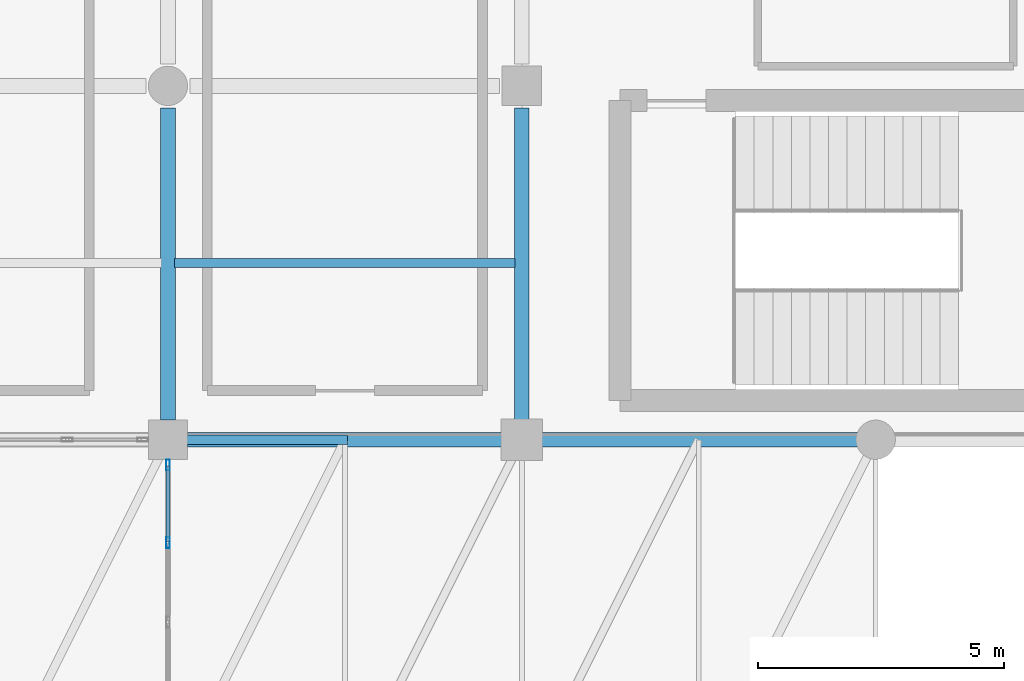
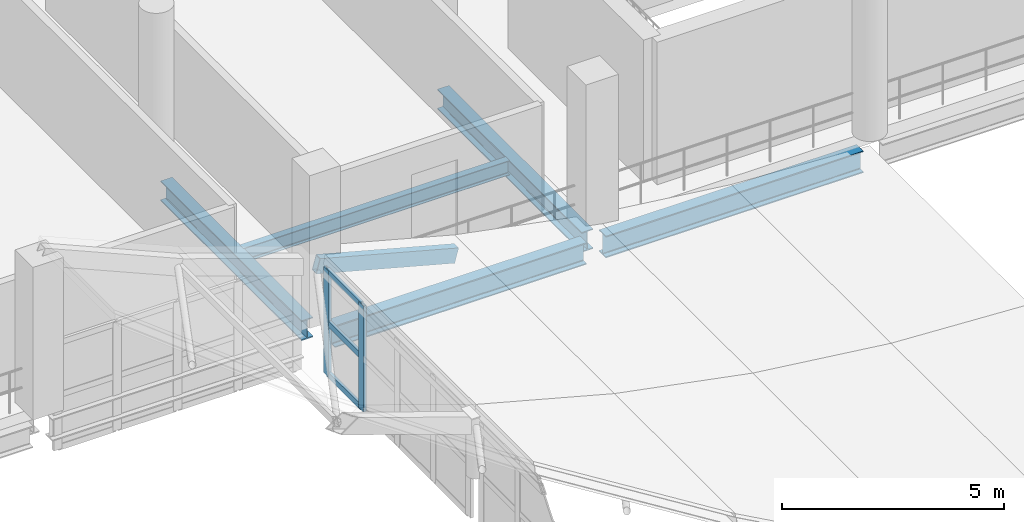
# One storey, part 71 of 153: 6 beams, 5 members, 1 element without a shape of its own.
"""IFC4 building model written with IfcOpenShell, lengths in metres."""

from ifc_helpers import new_model, si_unit, direction, frame, origin, origin_2d, place, context, subcontext, project, spatial, hollow_rectangle, i_section, extrude, material, material_profile, profile_set, type_object, element, aggregate, save


model = new_model("IFC4")

# Units and contexts
model_context = context("Model", 3, precision=1e-05, world=origin(), true_north=direction((0.0, 1.0)))
body_context = subcontext(model_context, "Body", "Model", "MODEL_VIEW")
ifc_project = project(units=[si_unit("LENGTHUNIT", "METRE"), si_unit("AREAUNIT", "SQUARE_METRE"), si_unit("VOLUMEUNIT", "CUBIC_METRE"), si_unit("PLANEANGLEUNIT", "RADIAN"), si_unit("MASSUNIT", "GRAM", prefix="KILO")], contexts=[model_context])

# Site, building, storey
site_placement = place(None, origin())
site = spatial("IfcSite", under=ifc_project, at=site_placement, CompositionType="ELEMENT")
building_placement = place(site_placement, origin())
building = spatial("IfcBuilding", under=site, at=building_placement, Name="Qandorah Velis Arena", CompositionType="ELEMENT")
storey_placement = place(building_placement, frame((0.0, 0.0, 5.39990234375)))
storey = spatial("IfcBuildingStorey", under=building, at=storey_placement, Name="L01", CompositionType="ELEMENT", Elevation=5.39990234375)

# Curtain wall, members
ifc_material_1 = material(Name="Solar-control low-E double glazing", Category="glass")
curtain_wall_type = type_object("IfcCurtainWallType", Name="ARC-CW-SYS09", PredefinedType="USERDEFINED", material=ifc_material_1)
curtain_wall_placement = place(storey_placement, origin())
curtain_wall = element("IfcCurtainWall", 1, at=curtain_wall_placement, inside=storey, type_object=curtain_wall_type, Name="Unitised curtain wall FOY-UP-8", ObjectType="UNITISED CURTAIN WALL", PredefinedType="USERDEFINED")
ifc_material_2 = material(Name="Champagne-bronze anodized aluminium 6063-T6", Category="aluminium")
ifc_material_profile_1 = material_profile(ifc_material_2, hollow_rectangle(XDim=0.074951171875, YDim=0.219970703125, WallThickness=0.00390625, at=origin_2d()), Name="ALU MULLION 75x220")
ifc_profile_set_1 = profile_set([ifc_material_profile_1], Name="Champagne-bronze anodized aluminium 6063-T6")
member_type_1 = type_object("IfcMemberType", Name="ARC-CWM-220", PredefinedType="MULLION", material=ifc_profile_set_1)
member_1_placement = place(storey_placement, frame((144.0, 41.107177734375, -1.3349609375), z_axis=(0.0, 0.0, 1.0), x_axis=(-1.0, 0.0, 0.0)))
member_1 = element("IfcMember", 2, at=member_1_placement, type_object=member_type_1, Name="CW09 mullion 4", PredefinedType="MULLION", context=body_context, shape_type="SweptSolid", body=[
    extrude(hollow_rectangle(XDim=0.074951171875, YDim=0.219970703125, WallThickness=0.00390625, at=origin_2d()), origin(), (0.0, 0.0, 1.0), 2.918701171875),
])
member_2_placement = place(storey_placement, frame((144.0, 42.6875, -1.3349609375), z_axis=(0.0, 0.0, 1.0), x_axis=(-1.0, 0.0, 0.0)))
member_2 = element("IfcMember", 3, at=member_2_placement, type_object=member_type_1, Name="CW09 mullion 5", PredefinedType="MULLION", context=body_context, shape_type="SweptSolid", body=[
    extrude(hollow_rectangle(XDim=0.074951171875, YDim=0.219970703125, WallThickness=0.00390625, at=origin_2d()), origin(), (0.0, 0.0, 1.0), 2.918701171875),
])
ifc_material_profile_2 = material_profile(ifc_material_2, hollow_rectangle(XDim=0.074951171875, YDim=0.159912109375, WallThickness=0.00341796875, at=origin_2d()), Name="ALU TRANSOM 75x160")
ifc_profile_set_2 = profile_set([ifc_material_profile_2], Name="Champagne-bronze anodized aluminium 6063-T6")
member_type_2 = type_object("IfcMemberType", Name="ARC-CWT-160", PredefinedType="USERDEFINED", material=ifc_profile_set_2)
member_3_placement = place(storey_placement, frame((144.0, 41.132568359375, -1.282470703125), z_axis=(0.0, 1.0, 0.0), x_axis=(-1.0, 0.0, 0.0)))
member_3 = element("IfcMember", 4, at=member_3_placement, type_object=member_type_2, Name="CW09 transom 4.1", ObjectType="TRANSOM", PredefinedType="USERDEFINED", context=body_context, shape_type="SweptSolid", body=[
    extrude(hollow_rectangle(XDim=0.074951171875, YDim=0.159912109375, WallThickness=0.00341796875, at=origin_2d()), origin(), (0.0, 0.0, 1.0), 1.529541015625),
])
member_4_placement = place(storey_placement, frame((144.0, 41.132568359375, 0.12451171875), z_axis=(0.0, 1.0, 0.0), x_axis=(-1.0, 0.0, 0.0)))
member_4 = element("IfcMember", 5, at=member_4_placement, type_object=member_type_2, Name="CW09 transom 4.2", ObjectType="TRANSOM", PredefinedType="USERDEFINED", context=body_context, shape_type="SweptSolid", body=[
    extrude(hollow_rectangle(XDim=0.074951171875, YDim=0.159912109375, WallThickness=0.00341796875, at=origin_2d()), origin(), (0.0, 0.0, 1.0), 1.529541015625),
])
member_5_placement = place(storey_placement, frame((144.0, 41.132568359375, 1.53125), z_axis=(0.0, 1.0, 0.0), x_axis=(-1.0, 0.0, 0.0)))
member_5 = element("IfcMember", 6, at=member_5_placement, type_object=member_type_2, Name="CW09 transom 4.3", ObjectType="TRANSOM", PredefinedType="USERDEFINED", context=body_context, shape_type="SweptSolid", body=[
    extrude(hollow_rectangle(XDim=0.074951171875, YDim=0.159912109375, WallThickness=0.00341796875, at=origin_2d()), origin(), (0.0, 0.0, 1.0), 1.529541015625),
])
aggregate(curtain_wall, [member_1, member_2, member_3, member_4, member_5])

# Beams
ifc_material_3 = material(Name="Steel S355", Category="steel")
ifc_material_profile_3 = material_profile(ifc_material_3, i_section(OverallWidth=0.300048828125, OverallDepth=0.550048828125, WebThickness=0.014892578125, FlangeThickness=0.029052734375, FilletRadius=0.027099609375, at=origin_2d()), Name="HEB 550")
ifc_profile_set_3 = profile_set([ifc_material_profile_3], Name="Steel S355")
beam_type_1 = type_object("IfcBeamType", Name="STR-BM-HEB550", PredefinedType="BEAM", material=ifc_profile_set_3)
beam_1_placement = place(storey_placement, frame((144.0, 43.60009765625, -0.635009765625), z_axis=(0.0, 1.0, 0.0), x_axis=(-1.0, 0.0, 0.0)))
element("IfcBeam", 7, at=beam_1_placement, inside=storey, type_object=beam_type_1, Name="Primary floor girder L01 Y-405", PredefinedType="BEAM", context=body_context, shape_type="SweptSolid", body=[
    extrude(i_section(OverallWidth=0.300048828125, OverallDepth=0.550048828125, WebThickness=0.014892578125, FlangeThickness=0.029052734375, FilletRadius=0.027099609375, at=origin_2d()), origin(), (0.0, 0.0, 1.0), 6.349853515625),
])
beam_2_placement = place(storey_placement, frame((151.199951171875, 43.449951171875, -0.635009765625), z_axis=(0.0, 1.0, 0.0), x_axis=(-1.0, 0.0, 0.0)))
element("IfcBeam", 8, at=beam_2_placement, inside=storey, type_object=beam_type_1, Name="Primary floor girder L01 Y-407", PredefinedType="BEAM", context=body_context, shape_type="SweptSolid", body=[
    extrude(i_section(OverallWidth=0.300048828125, OverallDepth=0.550048828125, WebThickness=0.014892578125, FlangeThickness=0.029052734375, FilletRadius=0.027099609375, at=origin_2d()), origin(), (0.0, 0.0, 1.0), 6.5),
])
ifc_material_profile_4 = material_profile(ifc_material_3, i_section(OverallWidth=0.300048828125, OverallDepth=0.60009765625, WebThickness=0.015380859375, FlangeThickness=0.030029296875, FilletRadius=0.027099609375, at=origin_2d()), Name="HEB 600")
ifc_profile_set_4 = profile_set([ifc_material_profile_4], Name="Steel S355")
beam_type_2 = type_object("IfcBeamType", Name="STR-BM-HEB600", PredefinedType="BEAM", material=ifc_profile_set_4)
beam_3_placement = place(storey_placement, frame((144.39990234375, 43.199951171875, -0.659912109375), z_axis=(1.0, 0.0, 0.0), x_axis=(0.0, 1.0, 0.0)))
element("IfcBeam", 9, at=beam_3_placement, inside=storey, type_object=beam_type_2, Name="Primary floor girder L01 X-084", PredefinedType="BEAM", context=body_context, shape_type="SweptSolid", body=[
    extrude(i_section(OverallWidth=0.300048828125, OverallDepth=0.60009765625, WebThickness=0.015380859375, FlangeThickness=0.030029296875, FilletRadius=0.027099609375, at=origin_2d()), origin(), (0.0, 0.0, 1.0), 6.550048828125),
])
beam_4_placement = place(storey_placement, frame((151.449951171875, 43.199951171875, -0.659912109375), z_axis=(1.0, 0.0, 0.0), x_axis=(0.0, 1.0, 0.0)))
element("IfcBeam", 10, at=beam_4_placement, inside=storey, type_object=beam_type_2, Name="Primary floor girder L01 X-085", PredefinedType="BEAM", context=body_context, shape_type="SweptSolid", body=[
    extrude(i_section(OverallWidth=0.300048828125, OverallDepth=0.60009765625, WebThickness=0.015380859375, FlangeThickness=0.030029296875, FilletRadius=0.027099609375, at=origin_2d()), origin(), (0.0, 0.0, 1.0), 6.699951171875),
])
ifc_material_profile_5 = material_profile(ifc_material_3, hollow_rectangle(XDim=0.199951171875, YDim=0.39990234375, WallThickness=0.01611328125, at=origin_2d()), Name="RHS 400x200x16")
ifc_profile_set_5 = profile_set([ifc_material_profile_5], Name="Steel S355")
beam_type_3 = type_object("IfcBeamType", Name="STR-CRB-RHS400", PredefinedType="USERDEFINED", material=ifc_profile_set_5)
beam_5_placement = place(storey_placement, frame((144.0, 43.199951171875, 1.388916015625), z_axis=(0.966010590095, 0.0, -0.258502494813), x_axis=(0.0, 1.0, 0.0)))
element("IfcBeam", 11, at=beam_5_placement, inside=storey, type_object=beam_type_3, Name="Sweeping canopy rib CRB-5.09", ObjectType="ROOF TRUSS", PredefinedType="USERDEFINED", context=body_context, shape_type="SweptSolid", body=[
    extrude(hollow_rectangle(XDim=0.199951171875, YDim=0.39990234375, WallThickness=0.01611328125, at=origin_2d()), origin(), (0.0, 0.0, 1.0), 3.726806640625),
])
ifc_material_profile_6 = material_profile(ifc_material_3, i_section(OverallWidth=0.179931640625, OverallDepth=0.39990234375, WebThickness=0.008544921875, FlangeThickness=0.013427734375, FilletRadius=0.02099609375, at=origin_2d()), Name="IPE 400")
ifc_profile_set_6 = profile_set([ifc_material_profile_6], Name="Steel S355")
beam_type_4 = type_object("IfcBeamType", Name="STR-JST-IPE400", PredefinedType="JOIST", material=ifc_profile_set_6)
beam_6_placement = place(storey_placement, frame((144.135009765625, 46.800048828125, -0.559814453125), z_axis=(1.0, 0.0, 0.0), x_axis=(0.0, 1.0, 0.0)))
element("IfcBeam", 12, at=beam_6_placement, inside=storey, type_object=beam_type_4, Name="Secondary floor joist L01-144", PredefinedType="JOIST", context=body_context, shape_type="SweptSolid", body=[
    extrude(i_section(OverallWidth=0.179931640625, OverallDepth=0.39990234375, WebThickness=0.008544921875, FlangeThickness=0.013427734375, FilletRadius=0.02099609375, at=origin_2d()), origin(), (0.0, 0.0, 1.0), 6.929931640625),
])

save(model, "model.ifc")
